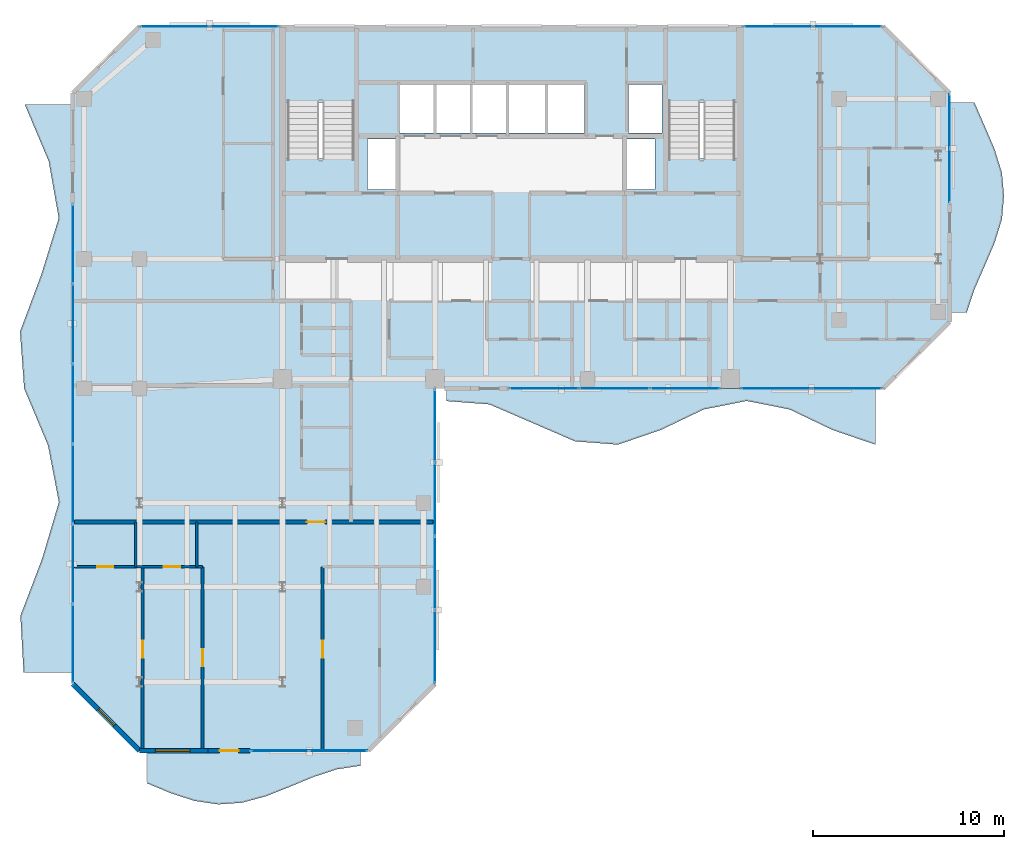
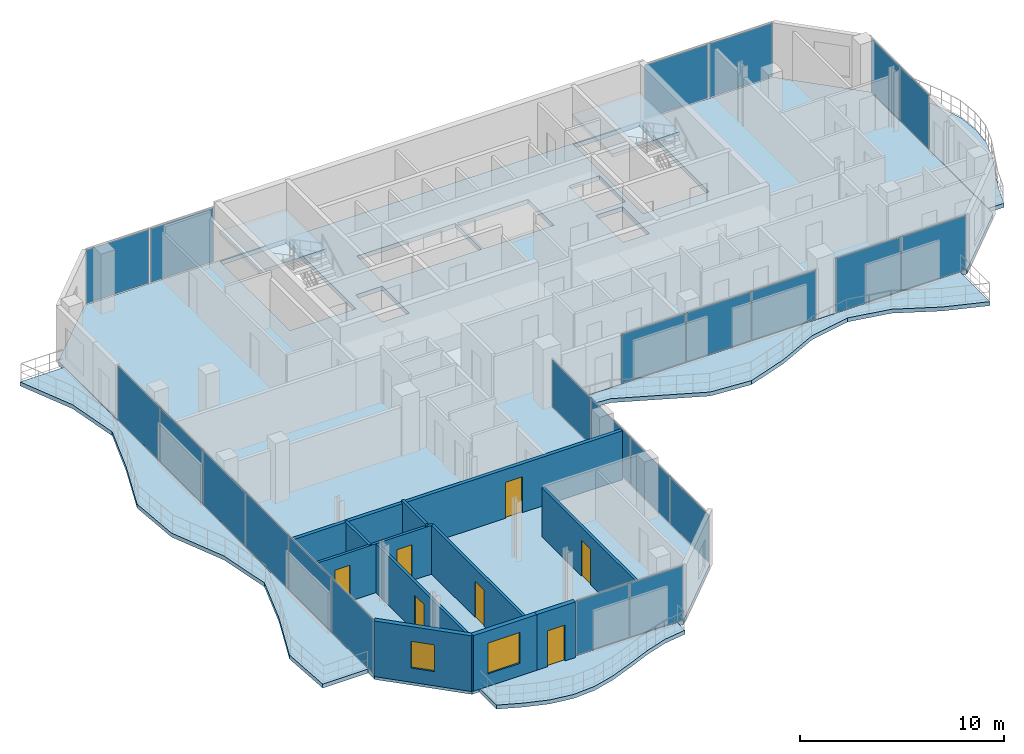
# One storey, part 17 of 23: 23 plates, 10 walls, 7 doors, 7 slabs, 2 windows, 9 openings, 10 elements without a shape of their own.
"""IFC4 building model written with IfcOpenShell, lengths in metres."""

import ifcopenshell
import ifcopenshell.guid

model = None  # the IFC model being written
_history = None  # IfcOwnerHistory: only IFC2X3 demands one
_inside = {}  # id of a spatial element -> (the spatial element, [elements in it])
_under = {}  # id of a project, library or spatial element -> (it, [spatial elements below it])
_declared = {}  # id of a project -> (the project, [libraries it declares])
_typed = {}  # id of a type object -> (the type object, [elements of that type])
_made_of = {}  # id of a material, layer set ... -> (it, [elements and type objects made of it])


def new_model(schema):
    """Start an empty IFC model of exactly this schema.

    Asked for "IFC4X3", IfcOpenShell would pick the latest addendum, in which some entities
    have other attributes; the version numbers below select the first issue.
    IFC2X3 requires an IfcOwnerHistory on every rooted entity: one is made here for all.
    """
    global model, _history
    if schema == "IFC4X3":
        model = ifcopenshell.file(schema_version=(4, 3, 0, 0))
    else:
        model = ifcopenshell.file(schema=schema)
    _inside.clear()
    _under.clear()
    _declared.clear()
    _typed.clear()
    _made_of.clear()
    _history = None
    if model.schema == "IFC2X3":
        org = make("IfcOrganization", Name="unknown")
        user = make(
            "IfcPersonAndOrganization",
            ThePerson=make("IfcPerson", FamilyName="unknown"),
            TheOrganization=org,
        )
        app = make(
            "IfcApplication",
            ApplicationDeveloper=org,
            Version="unknown",
            ApplicationFullName="unknown",
            ApplicationIdentifier="unknown",
        )
        _history = make(
            "IfcOwnerHistory",
            OwningUser=user,
            OwningApplication=app,
            ChangeAction="ADDED",
            CreationDate=0,
        )
    return model


def make(cls, **values):
    """One entity of the class cls with the attributes given. An attribute that is None is left unset."""
    return model.create_entity(
        cls, **{name: value for name, value in values.items() if value is not None}
    )


def rooted(cls, **values):
    """An entity with a GlobalId (a new one), such as an element, a storey or a relation."""
    return make(cls, GlobalId=ifcopenshell.guid.new(), OwnerHistory=_history, **values)


def si_unit(unit_type, name, prefix=None):
    """IfcSIUnit, for example si_unit("LENGTHUNIT", "METRE", prefix="MILLI")."""
    return make("IfcSIUnit", UnitType=unit_type, Prefix=prefix, Name=name)


def assignment(units):
    """IfcUnitAssignment: the units of a project."""
    return None if units is None else make("IfcUnitAssignment", Units=units)


def point(xyz):
    """IfcCartesianPoint."""
    return None if xyz is None else make("IfcCartesianPoint", Coordinates=xyz)


def direction(xyz):
    """IfcDirection."""
    return None if xyz is None else make("IfcDirection", DirectionRatios=xyz)


def frame(location, z_axis=None, x_axis=None):
    """IfcAxis2Placement3D, a coordinate frame: its origin and axes. An axis left out is left unset."""
    return make(
        "IfcAxis2Placement3D",
        Location=point(location),
        Axis=direction(z_axis),
        RefDirection=direction(x_axis),
    )


def frame_2d(location, x_axis=None):
    """IfcAxis2Placement2D, a coordinate frame in the plane: its origin and x axis."""
    return make(
        "IfcAxis2Placement2D", Location=point(location), RefDirection=direction(x_axis)
    )


def origin():
    """The frame at (0, 0, 0) with its axes left unset."""
    return frame((0.0, 0.0, 0.0))


def origin_2d():
    """The frame at (0, 0) in the plane with its x axis left unset."""
    return frame_2d((0.0, 0.0))


def place(relative_to, where):
    """IfcLocalPlacement: puts the frame where relative to a parent placement (None: the world)."""
    return make(
        "IfcLocalPlacement", PlacementRelTo=relative_to, RelativePlacement=where
    )


def context(
    kind, dimensions, precision=None, world=None, true_north=None, identifier=None
):
    """IfcGeometricRepresentationContext, for example the 3D "Model" context."""
    return make(
        "IfcGeometricRepresentationContext",
        ContextIdentifier=identifier,
        ContextType=kind,
        CoordinateSpaceDimension=dimensions,
        Precision=precision,
        WorldCoordinateSystem=world,
        TrueNorth=true_north,
    )


def subcontext(parent, identifier, kind, view, scale=None):
    """IfcGeometricRepresentationSubContext, for example "Body" below "Model"."""
    return make(
        "IfcGeometricRepresentationSubContext",
        ContextIdentifier=identifier,
        ContextType=kind,
        ParentContext=parent,
        TargetScale=scale,
        TargetView=view,
    )


def project(units=None, contexts=None):
    """IfcProject with its units and contexts."""
    return rooted(
        "IfcProject",
        Name="project",
        RepresentationContexts=contexts,
        UnitsInContext=assignment(units),
    )


def spatial(cls, under=None, at=None, **own):
    """A site, building, storey or space (cls), placed at a placement, below another one or the project."""
    s = rooted(cls, ObjectPlacement=at, **own)
    if under is not None:
        _under.setdefault(under.id(), (under, []))[1].append(s)
    return s


def polyline(points):
    """IfcPolyline through the points."""
    return make("IfcPolyline", Points=[point(p) for p in points])


def profile(cls, at=None, kind="AREA", **sizes):
    """A parametric profile (cls). Its sizes go by their IFC names, for example OverallWidth=200.0."""
    return make(cls, ProfileType=kind, Position=at, **sizes)


def rectangle(**sizes):
    """IfcRectangleProfileDef."""
    return profile("IfcRectangleProfileDef", **sizes)


def outline(outer, holes=None, kind="AREA"):
    """IfcArbitraryClosedProfileDef: a profile drawn as a closed curve; with holes, ...WithVoids."""
    if holes is None:
        return make("IfcArbitraryClosedProfileDef", ProfileType=kind, OuterCurve=outer)
    return make(
        "IfcArbitraryProfileDefWithVoids",
        ProfileType=kind,
        OuterCurve=outer,
        InnerCurves=holes,
    )


def extrude(swept, where, along, depth):
    """IfcExtrudedAreaSolid: the profile swept, set in the frame where, extruded along a direction by depth."""
    return make(
        "IfcExtrudedAreaSolid",
        SweptArea=swept,
        Position=where,
        ExtrudedDirection=direction(along),
        Depth=depth,
    )


def shape(context_of_items, identifier, shape_type, items):
    """IfcShapeRepresentation: the items that make up one representation, for example the "Body"."""
    return make(
        "IfcShapeRepresentation",
        ContextOfItems=context_of_items,
        RepresentationIdentifier=identifier,
        RepresentationType=shape_type,
        Items=items,
    )


def material(Name=None, Category=None):
    """IfcMaterial."""
    return make("IfcMaterial", Name=Name, Category=Category)


def layer(
    of_material, thickness, ventilated=None, Name=None, Category=None, Priority=None
):
    """IfcMaterialLayer: one layer of a wall or slab, of a material (None: an air gap)."""
    return make(
        "IfcMaterialLayer",
        Material=of_material,
        LayerThickness=thickness,
        IsVentilated=ventilated,
        Name=Name,
        Category=Category,
        Priority=Priority,
    )


def layer_set(layers, Name=None):
    """IfcMaterialLayerSet."""
    return make("IfcMaterialLayerSet", MaterialLayers=layers, LayerSetName=Name)


def made_of(thing, what):
    """Note that an element or type object is made of a material, layer set ...; save() writes the relation."""
    if what is not None:
        _made_of.setdefault(what.id(), (what, []))[1].append(thing)
    return thing


def type_object(cls, material=None, **own):
    """A type object (cls), such as IfcWallType, which elements share."""
    return made_of(rooted(cls, **own), material)


def element(
    cls,
    number,
    at=None,
    inside=None,
    cuts=None,
    type_object=None,
    material=None,
    context=None,
    identifier="Body",
    shape_type=None,
    held_by="IfcProductDefinitionShape",
    body=None,
    shapes=None,
    **own,
):
    """One element of the class cls, such as IfcWall. Its Tag is "e" and its number.

    at: its placement. inside: the storey or other place that contains it. cuts: it is an
    opening in that element (IfcRelVoidsElement). A single representation is given by context,
    identifier, shape_type and body (its items); several are given by shapes. held_by: the class
    of the entity that holds the representations. save() writes the other relations.
    """
    e = rooted(cls, Tag="e%d" % number, ObjectPlacement=at, **own)
    if body is not None:
        shapes = [shape(context, identifier, shape_type, body)]
    if shapes is not None:
        e.Representation = make(held_by, Representations=shapes)
    if inside is not None:
        _inside.setdefault(inside.id(), (inside, []))[1].append(e)
    if cuts is not None:
        rooted(
            "IfcRelVoidsElement", RelatingBuildingElement=cuts, RelatedOpeningElement=e
        )
    if type_object is not None:
        _typed.setdefault(type_object.id(), (type_object, []))[1].append(e)
    return made_of(e, material)


def fill(opening, filler):
    """IfcRelFillsElement: the door or window that sits in an opening."""
    return rooted(
        "IfcRelFillsElement",
        RelatingOpeningElement=opening,
        RelatedBuildingElement=filler,
    )


def aggregate(whole, parts):
    """IfcRelAggregates: a whole, such as a stair, and the parts it consists of."""
    return rooted("IfcRelAggregates", RelatingObject=whole, RelatedObjects=parts)


def save(model, path):
    """Write the relations noted so far, then the file.

    IfcRelAggregates (storeys below a building ...), IfcRelContainedInSpatialStructure (elements
    in a storey), IfcRelDefinesByType, IfcRelAssociatesMaterial and IfcRelDeclares: one each for
    every whole, place, type object, material and project.
    """
    for whole, parts in _under.values():
        aggregate(whole, parts)
    for where, things in _inside.values():
        rooted(
            "IfcRelContainedInSpatialStructure",
            RelatedElements=things,
            RelatingStructure=where,
        )
    for kind, things in _typed.values():
        rooted("IfcRelDefinesByType", RelatedObjects=things, RelatingType=kind)
    for what, things in _made_of.values():
        rooted("IfcRelAssociatesMaterial", RelatedObjects=things, RelatingMaterial=what)
    for by, libraries in _declared.values():
        rooted("IfcRelDeclares", RelatingContext=by, RelatedDefinitions=libraries)
    model.write(path)


model = new_model("IFC4")

# Units and contexts
model_context = context("Model", 3, precision=1e-05, world=origin(), true_north=direction((0.0, 1.0)))
body_context = subcontext(model_context, "Body", "Model", "MODEL_VIEW")
ifc_project = project(units=[si_unit("LENGTHUNIT", "METRE"), si_unit("AREAUNIT", "SQUARE_METRE"), si_unit("VOLUMEUNIT", "CUBIC_METRE"), si_unit("PLANEANGLEUNIT", "RADIAN"), si_unit("MASSUNIT", "GRAM", prefix="KILO")], contexts=[model_context])

# Site, building, storey
site_placement = place(None, origin())
site = spatial("IfcSite", under=ifc_project, at=site_placement, CompositionType="ELEMENT")
building_placement = place(site_placement, origin())
building = spatial("IfcBuilding", under=site, at=building_placement, Name="Catumbela Crestline Tower", CompositionType="ELEMENT")
storey_placement = place(building_placement, frame((0.0, 0.0, 179.4)))
storey = spatial("IfcBuildingStorey", under=building, at=storey_placement, Name="L46", CompositionType="ELEMENT", Elevation=179.4)

# Curtain wall, plates
ifc_material_1 = material(Name="Aluminium alloy AW-6060-T66", Category="aluminium")
ifc_layer_1 = layer(ifc_material_1, 0.18, Name="Aluminium alloy AW-6060-T66")
ifc_layer_set_1 = layer_set([ifc_layer_1], Name="Aluminium alloy AW-6060-T66")
curtain_wall_type = type_object("IfcCurtainWallType", Name="CWU-Z3", PredefinedType="USERDEFINED", material=ifc_layer_set_1)
curtain_wall_1_placement = place(storey_placement, origin())
curtain_wall_1 = element("IfcCurtainWall", 1, at=curtain_wall_1_placement, inside=storey, type_object=curtain_wall_type, Name="L46 Unitised Curtain Wall CW-L46-E0S2", ObjectType="UNITISED", PredefinedType="USERDEFINED")
ifc_material_2 = material(Name="Low-E laminated solar-control double glazing", Category="glass")
ifc_layer_2 = layer(ifc_material_2, 0.036, Name="Low-E laminated solar-control double glazing")
ifc_layer_set_2 = layer_set([ifc_layer_2], Name="Low-E laminated solar-control double glazing")
plate_type = type_object("IfcPlateType", Name="PNL-GLZ-Z3", PredefinedType="CURTAIN_PANEL", material=ifc_layer_set_2)
plate_1_placement = place(storey_placement, frame((15.8662, 5.0, 0.06), z_axis=(0.0, 0.0, 1.0), x_axis=(1.0, 0.0, 0.0)))
plate_1 = element("IfcPlate", 2, at=plate_1_placement, type_object=plate_type, Name="CWU-Z3 panel 1.1", PredefinedType="CURTAIN_PANEL", context=body_context, shape_type="SweptSolid", body=[
    extrude(rectangle(XDim=3.0025, YDim=0.034, at=origin_2d()), origin(), (0.0, 0.0, 1.0), 3.21),
])
plate_2_placement = place(storey_placement, frame((18.9338, 5.0, 0.06), z_axis=(0.0, 0.0, 1.0), x_axis=(1.0, 0.0, 0.0)))
plate_2 = element("IfcPlate", 3, at=plate_2_placement, type_object=plate_type, Name="CWU-Z3 panel 2.1", PredefinedType="CURTAIN_PANEL", context=body_context, shape_type="SweptSolid", body=[
    extrude(rectangle(XDim=3.0025, YDim=0.034, at=origin_2d()), origin(), (0.0, 0.0, 1.0), 3.21),
])
aggregate(curtain_wall_1, [plate_1, plate_2])

curtain_wall_2_placement = place(storey_placement, origin())
curtain_wall_2 = element("IfcCurtainWall", 4, at=curtain_wall_2_placement, inside=storey, type_object=curtain_wall_type, Name="L46 Unitised Curtain Wall CW-L46-E2S1", ObjectType="UNITISED", PredefinedType="USERDEFINED")
plate_3_placement = place(storey_placement, frame((24.0, 10.4538, 0.06), z_axis=(0.0, 0.0, 1.0), x_axis=(0.0, 1.0, 0.0)))
plate_3 = element("IfcPlate", 5, at=plate_3_placement, type_object=plate_type, Name="CWU-Z3 panel 1.1", PredefinedType="CURTAIN_PANEL", context=body_context, shape_type="SweptSolid", body=[
    extrude(rectangle(XDim=3.7775, YDim=0.034, at=origin_2d()), origin(), (0.0, 0.0, 1.0), 2.8),
])
plate_4_placement = place(storey_placement, frame((24.0, 14.3125, 0.06), z_axis=(0.0, 0.0, 1.0), x_axis=(0.0, 1.0, 0.0)))
plate_4 = element("IfcPlate", 6, at=plate_4_placement, type_object=plate_type, Name="CWU-Z3 panel 2.1", PredefinedType="CURTAIN_PANEL", context=body_context, shape_type="SweptSolid", body=[
    extrude(rectangle(XDim=3.81, YDim=0.034, at=origin_2d()), origin(), (0.0, 0.0, 1.0), 2.8),
])
plate_5_placement = place(storey_placement, frame((24.0, 18.1875, 0.06), z_axis=(0.0, 0.0, 1.0), x_axis=(0.0, 1.0, 0.0)))
plate_5 = element("IfcPlate", 7, at=plate_5_placement, type_object=plate_type, Name="CWU-Z3 panel 3.1", PredefinedType="CURTAIN_PANEL", context=body_context, shape_type="SweptSolid", body=[
    extrude(rectangle(XDim=3.81, YDim=0.034, at=origin_2d()), origin(), (0.0, 0.0, 1.0), 2.8),
])
plate_6_placement = place(storey_placement, frame((24.0, 22.0462, 0.06), z_axis=(0.0, 0.0, 1.0), x_axis=(0.0, 1.0, 0.0)))
plate_6 = element("IfcPlate", 8, at=plate_6_placement, type_object=plate_type, Name="CWU-Z3 panel 4.1", PredefinedType="CURTAIN_PANEL", context=body_context, shape_type="SweptSolid", body=[
    extrude(rectangle(XDim=3.7775, YDim=0.034, at=origin_2d()), origin(), (0.0, 0.0, 1.0), 2.8),
])
aggregate(curtain_wall_2, [plate_3, plate_4, plate_5, plate_6])

curtain_wall_3_placement = place(storey_placement, origin())
curtain_wall_3 = element("IfcCurtainWall", 9, at=curtain_wall_3_placement, inside=storey, type_object=curtain_wall_type, Name="L46 Unitised Curtain Wall CW-L46-E3S2", ObjectType="UNITISED", PredefinedType="USERDEFINED")
plate_7_placement = place(storey_placement, frame((29.7246, 24.0, 0.06), z_axis=(0.0, 0.0, 1.0), x_axis=(1.0, 0.0, 0.0)))
plate_7 = element("IfcPlate", 10, at=plate_7_placement, type_object=plate_type, Name="CWU-Z3 panel 1.1", PredefinedType="CURTAIN_PANEL", context=body_context, shape_type="SweptSolid", body=[
    extrude(rectangle(XDim=3.6192, YDim=0.034, at=origin_2d()), origin(), (0.0, 0.0, 1.0), 2.9),
])
plate_8_placement = place(storey_placement, frame((33.425, 24.0, 0.06), z_axis=(0.0, 0.0, 1.0), x_axis=(1.0, 0.0, 0.0)))
plate_8 = element("IfcPlate", 11, at=plate_8_placement, type_object=plate_type, Name="CWU-Z3 panel 2.1", PredefinedType="CURTAIN_PANEL", context=body_context, shape_type="SweptSolid", body=[
    extrude(rectangle(XDim=3.6517, YDim=0.034, at=origin_2d()), origin(), (0.0, 0.0, 1.0), 2.9),
])
plate_9_placement = place(storey_placement, frame((37.1254, 24.0, 0.06), z_axis=(0.0, 0.0, 1.0), x_axis=(1.0, 0.0, 0.0)))
plate_9 = element("IfcPlate", 12, at=plate_9_placement, type_object=plate_type, Name="CWU-Z3 panel 3.1", PredefinedType="CURTAIN_PANEL", context=body_context, shape_type="SweptSolid", body=[
    extrude(rectangle(XDim=3.6192, YDim=0.034, at=origin_2d()), origin(), (0.0, 0.0, 1.0), 2.9),
])
aggregate(curtain_wall_3, [plate_7, plate_8, plate_9])

curtain_wall_4_placement = place(storey_placement, origin())
curtain_wall_4 = element("IfcCurtainWall", 13, at=curtain_wall_4_placement, inside=storey, type_object=curtain_wall_type, Name="L46 Unitised Curtain Wall CW-L46-E3S3", ObjectType="UNITISED", PredefinedType="USERDEFINED")
plate_10_placement = place(storey_placement, frame((41.8912, 24.0, 0.06), z_axis=(0.0, 0.0, 1.0), x_axis=(1.0, 0.0, 0.0)))
plate_10 = element("IfcPlate", 14, at=plate_10_placement, type_object=plate_type, Name="CWU-Z3 panel 1.1", PredefinedType="CURTAIN_PANEL", context=body_context, shape_type="SweptSolid", body=[
    extrude(rectangle(XDim=3.6525, YDim=0.034, at=origin_2d()), origin(), (0.0, 0.0, 1.0), 3.21),
])
plate_11_placement = place(storey_placement, frame((45.6088, 24.0, 0.06), z_axis=(0.0, 0.0, 1.0), x_axis=(1.0, 0.0, 0.0)))
plate_11 = element("IfcPlate", 15, at=plate_11_placement, type_object=plate_type, Name="CWU-Z3 panel 2.1", PredefinedType="CURTAIN_PANEL", context=body_context, shape_type="SweptSolid", body=[
    extrude(rectangle(XDim=3.6525, YDim=0.034, at=origin_2d()), origin(), (0.0, 0.0, 1.0), 3.21),
])
aggregate(curtain_wall_4, [plate_10, plate_11])

curtain_wall_5_placement = place(storey_placement, origin())
curtain_wall_5 = element("IfcCurtainWall", 16, at=curtain_wall_5_placement, inside=storey, type_object=curtain_wall_type, Name="L46 Unitised Curtain Wall CW-L46-E5S2", ObjectType="UNITISED", PredefinedType="USERDEFINED")
plate_12_placement = place(storey_placement, frame((51.0, 35.1662, 0.06), z_axis=(0.0, 0.0, 1.0), x_axis=(0.0, 1.0, 0.0)))
plate_12 = element("IfcPlate", 17, at=plate_12_placement, type_object=plate_type, Name="CWU-Z3 panel 1.1", PredefinedType="CURTAIN_PANEL", context=body_context, shape_type="SweptSolid", body=[
    extrude(rectangle(XDim=2.8025, YDim=0.034, at=origin_2d()), origin(), (0.0, 0.0, 1.0), 3.21),
])
plate_13_placement = place(storey_placement, frame((51.0, 38.0338, 0.06), z_axis=(0.0, 0.0, 1.0), x_axis=(0.0, 1.0, 0.0)))
plate_13 = element("IfcPlate", 18, at=plate_13_placement, type_object=plate_type, Name="CWU-Z3 panel 2.1", PredefinedType="CURTAIN_PANEL", context=body_context, shape_type="SweptSolid", body=[
    extrude(rectangle(XDim=2.8025, YDim=0.034, at=origin_2d()), origin(), (0.0, 0.0, 1.0), 3.21),
])
aggregate(curtain_wall_5, [plate_12, plate_13])

curtain_wall_6_placement = place(storey_placement, origin())
curtain_wall_6 = element("IfcCurtainWall", 19, at=curtain_wall_6_placement, inside=storey, type_object=curtain_wall_type, Name="L46 Unitised Curtain Wall CW-L46-E7S1", ObjectType="UNITISED", PredefinedType="USERDEFINED")
plate_14_placement = place(storey_placement, frame((45.6438, 43.0, 0.06), z_axis=(0.0, 0.0, 1.0), x_axis=(-1.0, 0.0, 0.0)))
plate_14 = element("IfcPlate", 20, at=plate_14_placement, type_object=plate_type, Name="CWU-Z3 panel 1.1", PredefinedType="CURTAIN_PANEL", context=body_context, shape_type="SweptSolid", body=[
    extrude(rectangle(XDim=3.5825, YDim=0.034, at=origin_2d()), origin(), (0.0, 0.0, 1.0), 3.21),
])
plate_15_placement = place(storey_placement, frame((41.9963, 43.0, 0.06), z_axis=(0.0, 0.0, 1.0), x_axis=(-1.0, 0.0, 0.0)))
plate_15 = element("IfcPlate", 21, at=plate_15_placement, type_object=plate_type, Name="CWU-Z3 panel 2.1", PredefinedType="CURTAIN_PANEL", context=body_context, shape_type="SweptSolid", body=[
    extrude(rectangle(XDim=3.5825, YDim=0.034, at=origin_2d()), origin(), (0.0, 0.0, 1.0), 3.21),
])
aggregate(curtain_wall_6, [plate_14, plate_15])

curtain_wall_7_placement = place(storey_placement, origin())
curtain_wall_7 = element("IfcCurtainWall", 22, at=curtain_wall_7_placement, inside=storey, type_object=curtain_wall_type, Name="L46 Unitised Curtain Wall CW-L46-E7S2", ObjectType="UNITISED", PredefinedType="USERDEFINED")
plate_16_placement = place(storey_placement, frame((14.0038, 43.0, 0.06), z_axis=(0.0, 0.0, 1.0), x_axis=(-1.0, 0.0, 0.0)))
plate_16 = element("IfcPlate", 23, at=plate_16_placement, type_object=plate_type, Name="CWU-Z3 panel 1.1", PredefinedType="CURTAIN_PANEL", context=body_context, shape_type="SweptSolid", body=[
    extrude(rectangle(XDim=3.5825, YDim=0.034, at=origin_2d()), origin(), (0.0, 0.0, 1.0), 3.21),
])
plate_17_placement = place(storey_placement, frame((10.3562, 43.0, 0.06), z_axis=(0.0, 0.0, 1.0), x_axis=(-1.0, 0.0, 0.0)))
plate_17 = element("IfcPlate", 24, at=plate_17_placement, type_object=plate_type, Name="CWU-Z3 panel 2.1", PredefinedType="CURTAIN_PANEL", context=body_context, shape_type="SweptSolid", body=[
    extrude(rectangle(XDim=3.5825, YDim=0.034, at=origin_2d()), origin(), (0.0, 0.0, 1.0), 3.21),
])
aggregate(curtain_wall_7, [plate_16, plate_17])

curtain_wall_8_placement = place(storey_placement, origin())
curtain_wall_8 = element("IfcCurtainWall", 25, at=curtain_wall_8_placement, inside=storey, type_object=curtain_wall_type, Name="L46 Unitised Curtain Wall CW-L46-E9S2", ObjectType="UNITISED", PredefinedType="USERDEFINED")
plate_18_placement = place(storey_placement, frame((5.0, 31.5838, 0.06), z_axis=(0.0, 0.0, 1.0), x_axis=(0.0, -1.0, 0.0)))
plate_18 = element("IfcPlate", 26, at=plate_18_placement, type_object=plate_type, Name="CWU-Z3 panel 1.1", PredefinedType="CURTAIN_PANEL", context=body_context, shape_type="SweptSolid", body=[
    extrude(rectangle(XDim=4.1025, YDim=0.034, at=origin_2d()), origin(), (0.0, 0.0, 1.0), 3.21),
])
plate_19_placement = place(storey_placement, frame((5.0, 27.4, 0.06), z_axis=(0.0, 0.0, 1.0), x_axis=(0.0, -1.0, 0.0)))
plate_19 = element("IfcPlate", 27, at=plate_19_placement, type_object=plate_type, Name="CWU-Z3 panel 2.1", PredefinedType="CURTAIN_PANEL", context=body_context, shape_type="SweptSolid", body=[
    extrude(rectangle(XDim=4.135, YDim=0.034, at=origin_2d()), origin(), (0.0, 0.0, 1.0), 3.21),
])
plate_20_placement = place(storey_placement, frame((5.0, 23.2, 0.06), z_axis=(0.0, 0.0, 1.0), x_axis=(0.0, -1.0, 0.0)))
plate_20 = element("IfcPlate", 28, at=plate_20_placement, type_object=plate_type, Name="CWU-Z3 panel 3.1", PredefinedType="CURTAIN_PANEL", context=body_context, shape_type="SweptSolid", body=[
    extrude(rectangle(XDim=4.135, YDim=0.034, at=origin_2d()), origin(), (0.0, 0.0, 1.0), 3.21),
])
plate_21_placement = place(storey_placement, frame((5.0, 19.0, 0.06), z_axis=(0.0, 0.0, 1.0), x_axis=(0.0, -1.0, 0.0)))
plate_21 = element("IfcPlate", 29, at=plate_21_placement, type_object=plate_type, Name="CWU-Z3 panel 4.1", PredefinedType="CURTAIN_PANEL", context=body_context, shape_type="SweptSolid", body=[
    extrude(rectangle(XDim=4.135, YDim=0.034, at=origin_2d()), origin(), (0.0, 0.0, 1.0), 3.21),
])
plate_22_placement = place(storey_placement, frame((5.0, 14.8, 0.06), z_axis=(0.0, 0.0, 1.0), x_axis=(0.0, -1.0, 0.0)))
plate_22 = element("IfcPlate", 30, at=plate_22_placement, type_object=plate_type, Name="CWU-Z3 panel 5.1", PredefinedType="CURTAIN_PANEL", context=body_context, shape_type="SweptSolid", body=[
    extrude(rectangle(XDim=4.135, YDim=0.034, at=origin_2d()), origin(), (0.0, 0.0, 1.0), 3.21),
])
plate_23_placement = place(storey_placement, frame((5.0, 10.6163, 0.06), z_axis=(0.0, 0.0, 1.0), x_axis=(0.0, -1.0, 0.0)))
plate_23 = element("IfcPlate", 31, at=plate_23_placement, type_object=plate_type, Name="CWU-Z3 panel 6.1", PredefinedType="CURTAIN_PANEL", context=body_context, shape_type="SweptSolid", body=[
    extrude(rectangle(XDim=4.1025, YDim=0.034, at=origin_2d()), origin(), (0.0, 0.0, 1.0), 3.21),
])
aggregate(curtain_wall_8, [plate_18, plate_19, plate_20, plate_21, plate_22, plate_23])

# Stair, slab
ifc_material_3 = material(Name="Concrete C45/55", Category="concrete")
stair_type = type_object("IfcStairType", Name="ST-DLG", PredefinedType="HALF_TURN_STAIR", material=ifc_material_3)
stair_1_placement = place(storey_placement, origin())
stair_1 = element("IfcStair", 32, at=stair_1_placement, inside=storey, type_object=stair_type, Name="L46 West Core Pressurised Exit Stair ST-01", PredefinedType="HALF_TURN_STAIR")
ifc_layer_3 = layer(ifc_material_3, 0.2, Name="Concrete C45/55")
ifc_layer_set_3 = layer_set([ifc_layer_3], Name="Concrete C45/55")
slab_type_1 = type_object("IfcSlabType", Name="SL-LND", PredefinedType="LANDING", material=ifc_layer_set_3)
slab_1_placement = place(storey_placement, frame((0.0, 0.0, 1.6)))
slab_1 = element("IfcSlab", 33, at=slab_1_placement, type_object=slab_type_1, Name="ST-01 landing 1", PredefinedType="LANDING", context=body_context, shape_type="SweptSolid", body=[
    extrude(outline(polyline([(19.91, 39.02), (19.91, 42.96), (16.09, 42.96), (16.09, 39.02), (19.91, 39.02)])), origin(), (0.0, 0.0, 1.0), 0.2),
])
aggregate(stair_1, [slab_1])

stair_2_placement = place(storey_placement, origin())
stair_2 = element("IfcStair", 34, at=stair_2_placement, inside=storey, type_object=stair_type, Name="L46 East Core Pressurised Exit Stair ST-02", PredefinedType="HALF_TURN_STAIR")
slab_2_placement = place(storey_placement, frame((0.0, 0.0, 1.6)))
slab_2 = element("IfcSlab", 35, at=slab_2_placement, type_object=slab_type_1, Name="ST-02 landing 1", PredefinedType="LANDING", context=body_context, shape_type="SweptSolid", body=[
    extrude(outline(polyline([(39.91, 39.02), (39.91, 42.96), (36.09, 42.96), (36.09, 39.02), (39.91, 39.02)])), origin(), (0.0, 0.0, 1.0), 0.2),
])
aggregate(stair_2, [slab_2])

# Slabs
ifc_layer_4 = layer(ifc_material_3, 0.26, Name="Concrete C45/55")
ifc_layer_set_4 = layer_set([ifc_layer_4], Name="Concrete C45/55")
slab_type_2 = type_object("IfcSlabType", Name="SL-260", PredefinedType="FLOOR", material=ifc_layer_set_4)
slab_3_placement = place(storey_placement, frame((0.0, 0.0, -0.26)))
element("IfcSlab", 36, at=slab_3_placement, inside=storey, type_object=slab_type_2, Name="L46 Structural Floor Slab", PredefinedType="FLOOR", context=body_context, shape_type="SweptSolid", body=[
    extrude(outline(polyline([(8.5, 5.0), (20.5, 5.0), (24.0, 8.5), (24.0, 24.0), (47.5, 24.0), (51.0, 27.5), (51.0, 39.5), (47.5, 43.0), (8.5, 43.0), (5.0, 39.5), (5.0, 8.5), (8.5, 5.0)]), holes=[polyline([(16.13, 36.08), (19.87, 36.08), (19.87, 42.92), (16.13, 42.92), (16.13, 36.08)]), polyline([(36.13, 36.08), (39.87, 36.08), (39.87, 42.92), (36.13, 42.92), (36.13, 36.08)]), polyline([(22.15, 37.4), (27.75, 37.4), (27.75, 39.95), (22.15, 39.95), (22.15, 37.4)]), polyline([(27.85, 37.4), (31.85, 37.4), (31.85, 39.95), (27.85, 39.95), (27.85, 37.4)]), polyline([(20.45, 34.45), (21.95, 34.45), (21.95, 37.1), (20.45, 37.1), (20.45, 34.45)]), polyline([(34.05, 34.45), (35.55, 34.45), (35.55, 37.1), (34.05, 37.1), (34.05, 34.45)]), polyline([(34.15, 37.4), (35.9, 37.4), (35.9, 39.95), (34.15, 39.95), (34.15, 37.4)])]), origin(), (0.0, 0.0, 1.0), 0.26),
])
ifc_layer_5 = layer(ifc_material_3, 0.24, Name="Concrete C45/55")
ifc_layer_set_5 = layer_set([ifc_layer_5], Name="Concrete C45/55")
slab_type_3 = type_object("IfcSlabType", Name="SB-240W", PredefinedType="USERDEFINED", material=ifc_layer_set_5)
slab_4_placement = place(storey_placement, frame((0.0, 0.0, -0.24)))
element("IfcSlab", 37, at=slab_4_placement, inside=storey, type_object=slab_type_3, Name="L46 Cantilevered Wave Balcony Slab SPINE-S", ObjectType="BALCONY", PredefinedType="USERDEFINED", context=body_context, shape_type="SweptSolid", body=[
    extrude(outline(polyline([(24.6, 23.3413), (26.85, 23.1708), (29.1, 22.2), (31.35, 21.2292), (33.6, 21.0587), (35.85, 21.8292), (38.1, 22.9053), (40.35, 23.35), (42.6, 22.9053), (44.85, 21.8292), (47.1, 21.0587), (47.1, 23.99), (24.6, 23.99), (24.6, 23.3413)])), origin(), (0.0, 0.0, 1.0), 0.24),
])
slab_5_placement = place(storey_placement, frame((0.0, 0.0, -0.24)))
element("IfcSlab", 38, at=slab_5_placement, inside=storey, type_object=slab_type_3, Name="L46 Cantilevered Wave Balcony Slab SPINE-E", ObjectType="BALCONY", PredefinedType="USERDEFINED", context=body_context, shape_type="SweptSolid", body=[
    extrude(outline(polyline([(51.01, 28.0), (51.9001, 28.0), (52.308, 29.2222), (52.8421, 30.4444), (53.3654, 31.6667), (53.7437, 32.8889), (53.85, 34.1111), (53.7394, 35.3333), (53.3579, 36.5556), (52.8333, 37.7778), (52.3002, 39.0), (51.01, 39.0), (51.01, 28.0)])), origin(), (0.0, 0.0, 1.0), 0.24),
])
slab_6_placement = place(storey_placement, frame((0.0, 0.0, -0.24)))
element("IfcSlab", 39, at=slab_6_placement, inside=storey, type_object=slab_type_3, Name="L46 Cantilevered Wave Balcony Slab WING-S", ObjectType="BALCONY", PredefinedType="USERDEFINED", context=body_context, shape_type="SweptSolid", body=[
    extrude(outline(polyline([(8.9, 3.2866), (10.1444, 2.7689), (11.3889, 2.3658), (12.6333, 2.1843), (13.8778, 2.2726), (15.1222, 2.6072), (16.3667, 3.0993), (17.6111, 3.6181), (18.8556, 4.0259), (20.1, 4.2143), (20.1, 4.99), (8.9, 4.99), (8.9, 3.2866)])), origin(), (0.0, 0.0, 1.0), 0.24),
])
slab_7_placement = place(storey_placement, frame((0.0, 0.0, -0.24)))
element("IfcSlab", 40, at=slab_7_placement, inside=storey, type_object=slab_type_3, Name="L46 Cantilevered Wave Balcony Slab WEST", ObjectType="BALCONY", PredefinedType="USERDEFINED", context=body_context, shape_type="SweptSolid", body=[
    extrude(outline(polyline([(4.99, 38.9), (2.4788, 38.9), (3.7338, 35.92), (4.2596, 32.94), (3.338, 29.96), (2.2278, 26.98), (2.4457, 24.0), (3.694, 21.02), (4.2675, 18.04), (3.3827, 15.06), (2.2484, 12.08), (2.414, 9.1), (4.99, 9.1), (4.99, 38.9)])), origin(), (0.0, 0.0, 1.0), 0.24),
])

# Wall, opening, door
ifc_material_4 = material(Name="Angolan grey-ochre granite", Category="masonry")
ifc_layer_6 = layer(ifc_material_4, 0.25, Name="Angolan grey-ochre granite")
ifc_layer_set_6 = layer_set([ifc_layer_6], Name="Angolan grey-ochre granite")
wall_type_1 = type_object("IfcWallType", Name="WE-250", PredefinedType="STANDARD", material=ifc_layer_set_6)
wall_1_placement = place(storey_placement, frame((12.1, 5.0, 0.0), z_axis=(0.0, 0.0, 1.0), x_axis=(1.0, 0.0, 0.0)))
wall_1 = element("IfcWall", 41, at=wall_1_placement, inside=storey, type_object=wall_type_1, Name="L46 Exterior Threshold Portal Wall DR-L46-WBAL-3", PredefinedType="STANDARD", context=body_context, shape_type="SweptSolid", body=[
    extrude(rectangle(XDim=2.2, YDim=0.25, at=frame_2d((1.1, 0.0))), origin(), (0.0, 0.0, 1.0), 3.33),
])
opening_1_placement = place(wall_1_placement, frame((0.6, 0.0, 0.0)))
opening_1 = element("IfcOpeningElement", 42, at=opening_1_placement, cuts=wall_1, Name="Opening DB-L46-3", PredefinedType="OPENING", context=body_context, shape_type="SweptSolid", body=[
    extrude(rectangle(XDim=1.0, YDim=2.15, at=frame_2d((0.5, 1.075))), frame((0.0, 0.135, 0.0), z_axis=(0.0, -1.0, 0.0), x_axis=(1.0, 0.0, 0.0)), (0.0, 0.0, 1.0), 0.27),
])
door_type_1 = type_object("IfcDoorType", Name="DB-1000", OperationType="NOTDEFINED", PredefinedType="DOOR", material=ifc_material_1)
door_1_placement = place(opening_1_placement, origin())
door_1 = element("IfcDoor", 43, at=door_1_placement, inside=storey, type_object=door_type_1, Name="L46 Wave Balcony Terrace Door 3", OperationType="SINGLE_SWING_RIGHT", OverallHeight=2.15, OverallWidth=1.0, PredefinedType="DOOR", context=body_context, shape_type="SweptSolid", body=[
    extrude(rectangle(XDim=1.0, YDim=2.15, at=frame_2d((0.5, 1.075))), frame((0.0, 0.025, 0.0), z_axis=(0.0, -1.0, 0.0), x_axis=(1.0, 0.0, 0.0)), (0.0, 0.0, 1.0), 0.05),
])
fill(opening_1, door_1)

# Wall, opening, window
wall_2_placement = place(storey_placement, frame((8.5, 5.0, 0.0), z_axis=(0.0, 0.0, 1.0), x_axis=(1.0, 0.0, 0.0)))
wall_2 = element("IfcWall", 44, at=wall_2_placement, inside=storey, type_object=wall_type_1, Name="L46 Granite Punched Window Wall 0-1", PredefinedType="STANDARD", context=body_context, shape_type="SweptSolid", body=[
    extrude(rectangle(XDim=3.6, YDim=0.25, at=frame_2d((1.8, 0.0))), origin(), (0.0, 0.0, 1.0), 3.33),
])
opening_2_placement = place(wall_2_placement, frame((0.835, 0.0, 0.75)))
opening_2 = element("IfcOpeningElement", 45, at=opening_2_placement, cuts=wall_2, Name="Opening WN-01", PredefinedType="OPENING", context=body_context, shape_type="SweptSolid", body=[
    extrude(rectangle(XDim=1.8, YDim=1.85, at=frame_2d((0.9, 0.925))), frame((0.0, 0.135, 0.0), z_axis=(0.0, -1.0, 0.0), x_axis=(1.0, 0.0, 0.0)), (0.0, 0.0, 1.0), 0.27),
])
window_type_1 = type_object("IfcWindowType", Name="WF-1800", PartitioningType="SINGLE_PANEL", PredefinedType="WINDOW", material=ifc_material_2)
window_1_placement = place(opening_2_placement, origin())
window_1 = element("IfcWindow", 46, at=window_1_placement, inside=storey, type_object=window_type_1, Name="L46 Facade Vision Window 285", OverallHeight=1.85, OverallWidth=1.8, PartitioningType="SINGLE_PANEL", PredefinedType="WINDOW", context=body_context, shape_type="SweptSolid", body=[
    extrude(rectangle(XDim=1.8, YDim=1.85, at=frame_2d((0.9, 0.925))), frame((0.0, 0.03, 0.0), z_axis=(0.0, -1.0, 0.0), x_axis=(1.0, 0.0, 0.0)), (0.0, 0.0, 1.0), 0.06),
])
fill(opening_2, window_1)

wall_3_placement = place(storey_placement, frame((5.0, 8.5, 0.0), z_axis=(0.0, 0.0, 1.0), x_axis=(0.707106781187, -0.707106781187, 0.0)))
wall_3 = element("IfcWall", 47, at=wall_3_placement, inside=storey, type_object=wall_type_1, Name="L46 Granite Punched Window Wall 10-1", PredefinedType="STANDARD", context=body_context, shape_type="SweptSolid", body=[
    extrude(rectangle(XDim=4.9497, YDim=0.25, at=frame_2d((2.4748, 0.0))), origin(), (0.0, 0.0, 1.0), 3.33),
])
opening_3_placement = place(wall_3_placement, frame((1.8748, 0.0, 0.85)))
opening_3 = element("IfcOpeningElement", 48, at=opening_3_placement, cuts=wall_3, Name="Opening WN-02", PredefinedType="OPENING", context=body_context, shape_type="SweptSolid", body=[
    extrude(rectangle(XDim=1.2, YDim=1.6, at=frame_2d((0.6, 0.8))), frame((0.0, 0.135, 0.0), z_axis=(0.0, -1.0, 0.0), x_axis=(1.0, 0.0, 0.0)), (0.0, 0.0, 1.0), 0.27),
])
window_type_2 = type_object("IfcWindowType", Name="WO-1200", PartitioningType="SINGLE_PANEL", PredefinedType="WINDOW", material=ifc_material_2)
window_2_placement = place(opening_3_placement, origin())
window_2 = element("IfcWindow", 49, at=window_2_placement, inside=storey, type_object=window_type_2, Name="L46 Facade Vision Window 292", OverallHeight=1.6, OverallWidth=1.2, PartitioningType="SINGLE_PANEL", PredefinedType="WINDOW", context=body_context, shape_type="SweptSolid", body=[
    extrude(rectangle(XDim=1.2, YDim=1.6, at=frame_2d((0.6, 0.8))), frame((0.0, 0.03, 0.0), z_axis=(0.0, -1.0, 0.0), x_axis=(1.0, 0.0, 0.0)), (0.0, 0.0, 1.0), 0.06),
])
fill(opening_3, window_2)

# Walls
ifc_material_5 = material(Name="Acoustic gypsum and mineral-wool partition")
ifc_layer_7 = layer(ifc_material_5, 0.15, Name="Acoustic gypsum and mineral-wool partition")
ifc_layer_set_7 = layer_set([ifc_layer_7], Name="Acoustic gypsum and mineral-wool partition")
wall_type_2 = type_object("IfcWallType", Name="WP-150", PredefinedType="PARTITIONING", material=ifc_layer_set_7)
wall_4_placement = place(storey_placement, frame((11.5, 14.65, 0.0), z_axis=(0.0, 0.0, 1.0), x_axis=(0.0, 1.0, 0.0)))
element("IfcWall", 50, at=wall_4_placement, inside=storey, type_object=wall_type_2, Name="L46 Interior Partition PW-L46-SH1-KBE", PredefinedType="PARTITIONING", context=body_context, shape_type="SweptSolid", body=[
    extrude(rectangle(XDim=2.35, YDim=0.15, at=frame_2d((1.175, 0.0))), origin(), (0.0, 0.0, 1.0), 3.07),
])
wall_5_placement = place(storey_placement, frame((8.3, 14.65, 0.0), z_axis=(0.0, 0.0, 1.0), x_axis=(0.0, 1.0, 0.0)))
element("IfcWall", 51, at=wall_5_placement, inside=storey, type_object=wall_type_2, Name="L46 Interior Partition PW-L46-SH1-KBM", PredefinedType="PARTITIONING", context=body_context, shape_type="SweptSolid", body=[
    extrude(rectangle(XDim=2.35, YDim=0.15, at=frame_2d((1.175, 0.0))), origin(), (0.0, 0.0, 1.0), 2.92),
])

# Wall, openings, doors
wall_6_placement = place(storey_placement, frame((5.1, 14.65, 0.0), z_axis=(0.0, 0.0, 1.0), x_axis=(1.0, 0.0, 0.0)))
wall_6 = element("IfcWall", 52, at=wall_6_placement, inside=storey, type_object=wall_type_2, Name="L46 Interior Partition PW-L46-SH1-KBD1", PredefinedType="PARTITIONING", context=body_context, shape_type="SweptSolid", body=[
    extrude(rectangle(XDim=6.71, YDim=0.15, at=frame_2d((3.355, 0.0))), origin(), (0.0, 0.0, 1.0), 2.92),
])
opening_4_placement = place(wall_6_placement, frame((1.175, 0.0, 0.0)))
opening_4 = element("IfcOpeningElement", 53, at=opening_4_placement, cuts=wall_6, Name="Opening DI-085", PredefinedType="OPENING", context=body_context, shape_type="SweptSolid", body=[
    extrude(rectangle(XDim=0.85, YDim=2.15, at=frame_2d((0.425, 1.075))), frame((0.0, 0.085, 0.0), z_axis=(0.0, -1.0, 0.0), x_axis=(1.0, 0.0, 0.0)), (0.0, 0.0, 1.0), 0.17),
])
opening_5_placement = place(wall_6_placement, frame((4.6795, 0.0, 0.0)))
opening_5 = element("IfcOpeningElement", 54, at=opening_5_placement, cuts=wall_6, Name="Opening DI-085", PredefinedType="OPENING", context=body_context, shape_type="SweptSolid", body=[
    extrude(rectangle(XDim=0.85, YDim=2.15, at=frame_2d((0.425, 1.075))), frame((0.0, 0.085, 0.0), z_axis=(0.0, -1.0, 0.0), x_axis=(1.0, 0.0, 0.0)), (0.0, 0.0, 1.0), 0.17),
])
door_type_2 = type_object("IfcDoorType", Name="DI-085", OperationType="NOTDEFINED", PredefinedType="DOOR", material=ifc_material_1)
door_2_placement = place(opening_4_placement, origin())
door_2 = element("IfcDoor", 55, at=door_2_placement, inside=storey, type_object=door_type_2, Name="L46 Interior Door DR-L46-SH1-KIT", OperationType="SINGLE_SWING_LEFT", OverallHeight=2.15, OverallWidth=0.85, PredefinedType="DOOR", context=body_context, shape_type="SweptSolid", body=[
    extrude(rectangle(XDim=0.85, YDim=2.15, at=frame_2d((0.425, 1.075))), frame((0.0, 0.025, 0.0), z_axis=(0.0, -1.0, 0.0), x_axis=(1.0, 0.0, 0.0)), (0.0, 0.0, 1.0), 0.05),
])
fill(opening_4, door_2)
door_3_placement = place(opening_5_placement, origin())
door_3 = element("IfcDoor", 56, at=door_3_placement, inside=storey, type_object=door_type_2, Name="L46 Interior Door DR-L46-SH1-BTH", OperationType="SINGLE_SWING_RIGHT", OverallHeight=2.15, OverallWidth=0.85, PredefinedType="DOOR", context=body_context, shape_type="SweptSolid", body=[
    extrude(rectangle(XDim=0.85, YDim=2.15, at=frame_2d((0.425, 1.075))), frame((0.0, 0.025, 0.0), z_axis=(0.0, -1.0, 0.0), x_axis=(1.0, 0.0, 0.0)), (0.0, 0.0, 1.0), 0.05),
])
fill(opening_5, door_3)

# Wall, opening, door
wall_7_placement = place(storey_placement, frame((8.66, 5.1, 0.0), z_axis=(0.0, 0.0, 1.0), x_axis=(0.0, 1.0, 0.0)))
wall_7 = element("IfcWall", 57, at=wall_7_placement, inside=storey, type_object=wall_type_2, Name="L46 Interior Partition PW-L46-SH1-BDL", PredefinedType="PARTITIONING", context=body_context, shape_type="SweptSolid", body=[
    extrude(rectangle(XDim=9.55, YDim=0.15, at=frame_2d((4.775, 0.0))), origin(), (0.0, 0.0, 1.0), 2.92),
])
opening_6_placement = place(wall_7_placement, frame((4.7789, 0.0, 0.0)))
opening_6 = element("IfcOpeningElement", 58, at=opening_6_placement, cuts=wall_7, Name="Opening DI-090", PredefinedType="OPENING", context=body_context, shape_type="SweptSolid", body=[
    extrude(rectangle(XDim=0.9, YDim=2.15, at=frame_2d((0.45, 1.075))), frame((0.0, 0.085, 0.0), z_axis=(0.0, -1.0, 0.0), x_axis=(1.0, 0.0, 0.0)), (0.0, 0.0, 1.0), 0.17),
])
door_type_3 = type_object("IfcDoorType", Name="DI-090", OperationType="NOTDEFINED", PredefinedType="DOOR", material=ifc_material_1)
door_4_placement = place(opening_6_placement, origin())
door_4 = element("IfcDoor", 59, at=door_4_placement, inside=storey, type_object=door_type_3, Name="L46 Interior Door DR-L46-SH1-BD1", OperationType="SINGLE_SWING_LEFT", OverallHeight=2.15, OverallWidth=0.9, PredefinedType="DOOR", context=body_context, shape_type="SweptSolid", body=[
    extrude(rectangle(XDim=0.9, YDim=2.15, at=frame_2d((0.45, 1.075))), frame((0.0, 0.025, 0.0), z_axis=(0.0, -1.0, 0.0), x_axis=(1.0, 0.0, 0.0)), (0.0, 0.0, 1.0), 0.05),
])
fill(opening_6, door_4)

wall_8_placement = place(storey_placement, frame((18.1, 5.1, 0.0), z_axis=(0.0, 0.0, 1.0), x_axis=(0.0, 1.0, 0.0)))
wall_8 = element("IfcWall", 60, at=wall_8_placement, inside=storey, type_object=wall_type_2, Name="L46 Interior Partition PW-L46-SH1-STW", PredefinedType="PARTITIONING", context=body_context, shape_type="SweptSolid", body=[
    extrude(rectangle(XDim=9.55, YDim=0.15, at=frame_2d((4.775, 0.0))), origin(), (0.0, 0.0, 1.0), 2.92),
])
opening_7_placement = place(wall_8_placement, frame((4.7789, 0.0, 0.0)))
opening_7 = element("IfcOpeningElement", 61, at=opening_7_placement, cuts=wall_8, Name="Opening DI-090", PredefinedType="OPENING", context=body_context, shape_type="SweptSolid", body=[
    extrude(rectangle(XDim=0.9, YDim=2.15, at=frame_2d((0.45, 1.075))), frame((0.0, 0.085, 0.0), z_axis=(0.0, -1.0, 0.0), x_axis=(1.0, 0.0, 0.0)), (0.0, 0.0, 1.0), 0.17),
])
door_5_placement = place(opening_7_placement, origin())
door_5 = element("IfcDoor", 62, at=door_5_placement, inside=storey, type_object=door_type_3, Name="L46 Interior Door DR-L46-SH1-STDY", OperationType="SINGLE_SWING_RIGHT", OverallHeight=2.15, OverallWidth=0.9, PredefinedType="DOOR", context=body_context, shape_type="SweptSolid", body=[
    extrude(rectangle(XDim=0.9, YDim=2.15, at=frame_2d((0.45, 1.075))), frame((0.0, 0.025, 0.0), z_axis=(0.0, -1.0, 0.0), x_axis=(1.0, 0.0, 0.0)), (0.0, 0.0, 1.0), 0.05),
])
fill(opening_7, door_5)

wall_9_placement = place(storey_placement, frame((11.81, 5.1, 0.0), z_axis=(0.0, 0.0, 1.0), x_axis=(0.0, 1.0, 0.0)))
wall_9 = element("IfcWall", 63, at=wall_9_placement, inside=storey, type_object=wall_type_2, Name="L46 Interior Partition PW-L46-SH1-DNW", PredefinedType="PARTITIONING", context=body_context, shape_type="SweptSolid", body=[
    extrude(rectangle(XDim=9.55, YDim=0.15, at=frame_2d((4.775, 0.0))), origin(), (0.0, 0.0, 1.0), 2.92),
])
opening_8_placement = place(wall_9_placement, frame((4.325, 0.0, 0.0)))
opening_8 = element("IfcOpeningElement", 64, at=opening_8_placement, cuts=wall_9, Name="Opening DI-090", PredefinedType="OPENING", context=body_context, shape_type="SweptSolid", body=[
    extrude(rectangle(XDim=0.9, YDim=2.15, at=frame_2d((0.45, 1.075))), frame((0.0, 0.085, 0.0), z_axis=(0.0, -1.0, 0.0), x_axis=(1.0, 0.0, 0.0)), (0.0, 0.0, 1.0), 0.17),
])
door_6_placement = place(opening_8_placement, origin())
door_6 = element("IfcDoor", 65, at=door_6_placement, inside=storey, type_object=door_type_3, Name="L46 Interior Door DR-L46-SH1-FDIN", OperationType="SINGLE_SWING_LEFT", OverallHeight=2.15, OverallWidth=0.9, PredefinedType="DOOR", context=body_context, shape_type="SweptSolid", body=[
    extrude(rectangle(XDim=0.9, YDim=2.15, at=frame_2d((0.45, 1.075))), frame((0.0, 0.025, 0.0), z_axis=(0.0, -1.0, 0.0), x_axis=(1.0, 0.0, 0.0)), (0.0, 0.0, 1.0), 0.05),
])
fill(opening_8, door_6)

ifc_layer_8 = layer(ifc_material_5, 0.2, Name="Acoustic gypsum and mineral-wool partition")
ifc_layer_set_8 = layer_set([ifc_layer_8], Name="Acoustic gypsum and mineral-wool partition")
wall_type_3 = type_object("IfcWallType", Name="WY-200", PredefinedType="PARTITIONING", material=ifc_layer_set_8)
wall_10_placement = place(storey_placement, frame((5.1, 17.0, 0.0), z_axis=(0.0, 0.0, 1.0), x_axis=(1.0, 0.0, 0.0)))
wall_10 = element("IfcWall", 66, at=wall_10_placement, inside=storey, type_object=wall_type_3, Name="L46 Interior Partition PW-L46-SH-WL", PredefinedType="PARTITIONING", context=body_context, shape_type="SweptSolid", body=[
    extrude(rectangle(XDim=18.8, YDim=0.2, at=frame_2d((9.4, 0.0))), origin(), (0.0, 0.0, 1.0), 2.92),
])
opening_9_placement = place(wall_10_placement, frame((12.1791, 0.0, 0.0)))
opening_9 = element("IfcOpeningElement", 67, at=opening_9_placement, cuts=wall_10, Name="Opening DF6-095", PredefinedType="OPENING", context=body_context, shape_type="SweptSolid", body=[
    extrude(rectangle(XDim=0.95, YDim=2.15, at=frame_2d((0.475, 1.075))), frame((0.0, 0.11, 0.0), z_axis=(0.0, -1.0, 0.0), x_axis=(1.0, 0.0, 0.0)), (0.0, 0.0, 1.0), 0.22),
])
door_type_4 = type_object("IfcDoorType", Name="DF6-095", OperationType="NOTDEFINED", PredefinedType="DOOR", material=ifc_material_1)
door_7_placement = place(opening_9_placement, origin())
door_7 = element("IfcDoor", 68, at=door_7_placement, inside=storey, type_object=door_type_4, Name="L46 Interior Door DR-L46-SH1-ENT", OperationType="SINGLE_SWING_RIGHT", OverallHeight=2.15, OverallWidth=0.95, PredefinedType="DOOR", context=body_context, shape_type="SweptSolid", body=[
    extrude(rectangle(XDim=0.95, YDim=2.15, at=frame_2d((0.475, 1.075))), frame((0.0, 0.025, 0.0), z_axis=(0.0, -1.0, 0.0), x_axis=(1.0, 0.0, 0.0)), (0.0, 0.0, 1.0), 0.05),
])
fill(opening_9, door_7)

save(model, "model.ifc")
